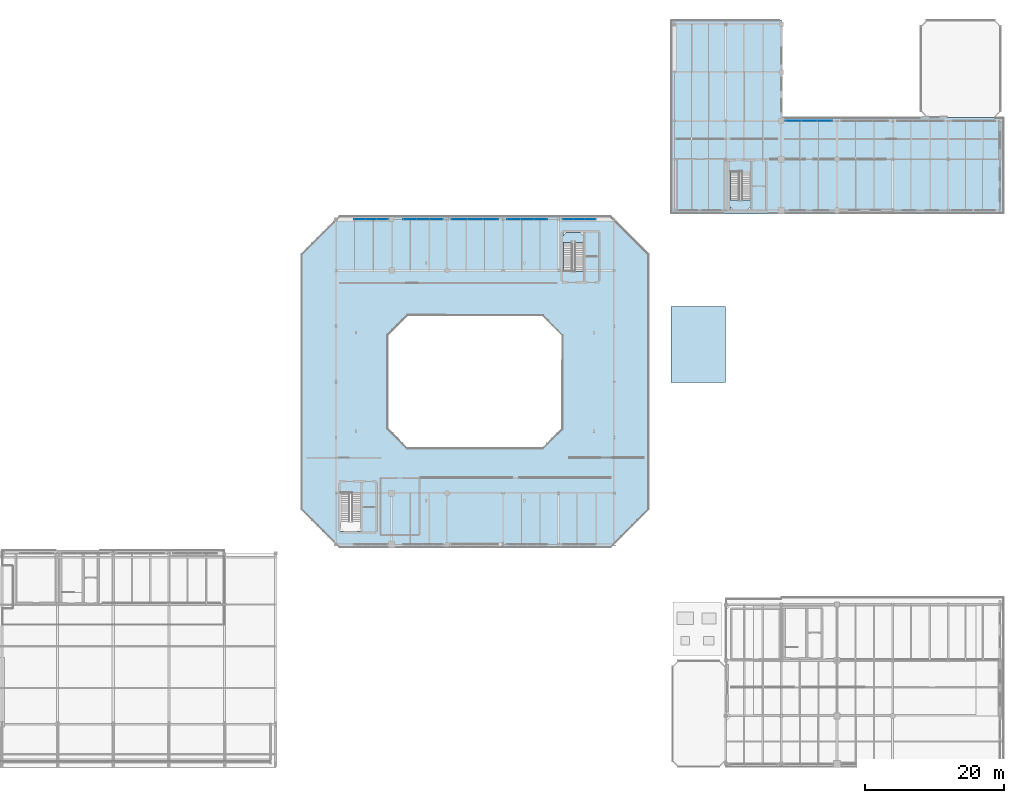
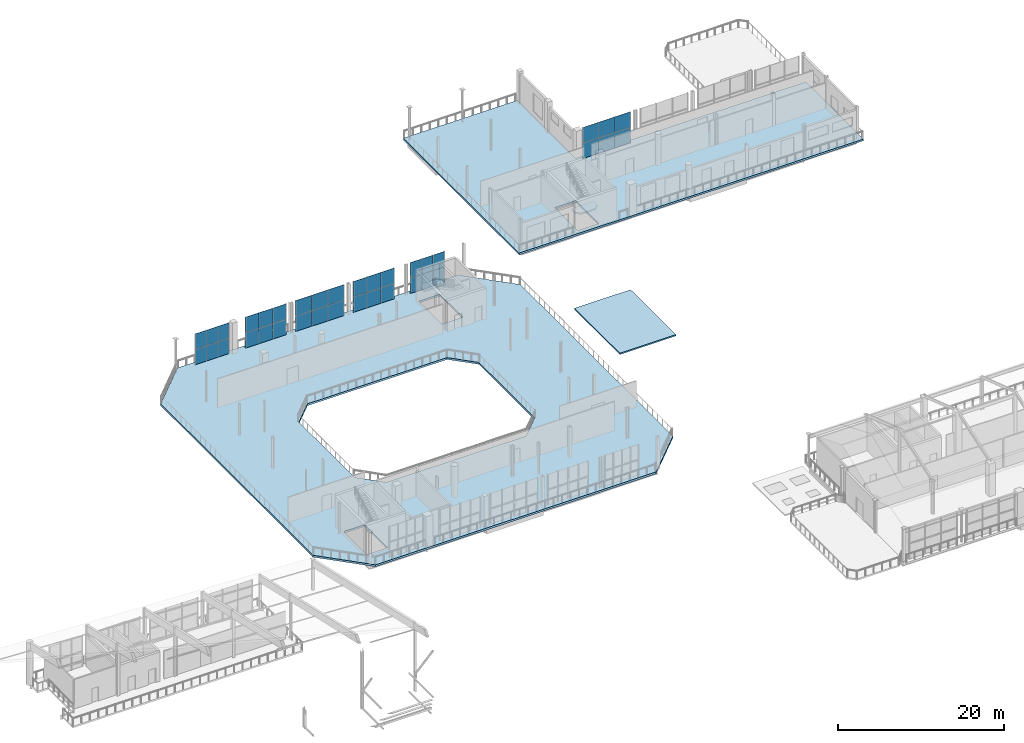
# One storey, part 30 of 51: 36 plates, 5 slabs, 8 elements without a shape of their own.
"""IFC4 building model written with IfcOpenShell, lengths in metres."""

import ifcopenshell
import ifcopenshell.guid

model = None  # the IFC model being written
_history = None  # IfcOwnerHistory: only IFC2X3 demands one
_inside = {}  # id of a spatial element -> (the spatial element, [elements in it])
_under = {}  # id of a project, library or spatial element -> (it, [spatial elements below it])
_declared = {}  # id of a project -> (the project, [libraries it declares])
_typed = {}  # id of a type object -> (the type object, [elements of that type])
_made_of = {}  # id of a material, layer set ... -> (it, [elements and type objects made of it])


def new_model(schema):
    """Start an empty IFC model of exactly this schema.

    Asked for "IFC4X3", IfcOpenShell would pick the latest addendum, in which some entities
    have other attributes; the version numbers below select the first issue.
    IFC2X3 requires an IfcOwnerHistory on every rooted entity: one is made here for all.
    """
    global model, _history
    if schema == "IFC4X3":
        model = ifcopenshell.file(schema_version=(4, 3, 0, 0))
    else:
        model = ifcopenshell.file(schema=schema)
    _inside.clear()
    _under.clear()
    _declared.clear()
    _typed.clear()
    _made_of.clear()
    _history = None
    if model.schema == "IFC2X3":
        org = make("IfcOrganization", Name="unknown")
        user = make(
            "IfcPersonAndOrganization",
            ThePerson=make("IfcPerson", FamilyName="unknown"),
            TheOrganization=org,
        )
        app = make(
            "IfcApplication",
            ApplicationDeveloper=org,
            Version="unknown",
            ApplicationFullName="unknown",
            ApplicationIdentifier="unknown",
        )
        _history = make(
            "IfcOwnerHistory",
            OwningUser=user,
            OwningApplication=app,
            ChangeAction="ADDED",
            CreationDate=0,
        )
    return model


def make(cls, **values):
    """One entity of the class cls with the attributes given. An attribute that is None is left unset."""
    return model.create_entity(
        cls, **{name: value for name, value in values.items() if value is not None}
    )


def rooted(cls, **values):
    """An entity with a GlobalId (a new one), such as an element, a storey or a relation."""
    return make(cls, GlobalId=ifcopenshell.guid.new(), OwnerHistory=_history, **values)


def si_unit(unit_type, name, prefix=None):
    """IfcSIUnit, for example si_unit("LENGTHUNIT", "METRE", prefix="MILLI")."""
    return make("IfcSIUnit", UnitType=unit_type, Prefix=prefix, Name=name)


def assignment(units):
    """IfcUnitAssignment: the units of a project."""
    return None if units is None else make("IfcUnitAssignment", Units=units)


def point(xyz):
    """IfcCartesianPoint."""
    return None if xyz is None else make("IfcCartesianPoint", Coordinates=xyz)


def direction(xyz):
    """IfcDirection."""
    return None if xyz is None else make("IfcDirection", DirectionRatios=xyz)


def frame(location, z_axis=None, x_axis=None):
    """IfcAxis2Placement3D, a coordinate frame: its origin and axes. An axis left out is left unset."""
    return make(
        "IfcAxis2Placement3D",
        Location=point(location),
        Axis=direction(z_axis),
        RefDirection=direction(x_axis),
    )


def frame_2d(location, x_axis=None):
    """IfcAxis2Placement2D, a coordinate frame in the plane: its origin and x axis."""
    return make(
        "IfcAxis2Placement2D", Location=point(location), RefDirection=direction(x_axis)
    )


def origin():
    """The frame at (0, 0, 0) with its axes left unset."""
    return frame((0.0, 0.0, 0.0))


def origin_2d():
    """The frame at (0, 0) in the plane with its x axis left unset."""
    return frame_2d((0.0, 0.0))


def place(relative_to, where):
    """IfcLocalPlacement: puts the frame where relative to a parent placement (None: the world)."""
    return make(
        "IfcLocalPlacement", PlacementRelTo=relative_to, RelativePlacement=where
    )


def context(
    kind, dimensions, precision=None, world=None, true_north=None, identifier=None
):
    """IfcGeometricRepresentationContext, for example the 3D "Model" context."""
    return make(
        "IfcGeometricRepresentationContext",
        ContextIdentifier=identifier,
        ContextType=kind,
        CoordinateSpaceDimension=dimensions,
        Precision=precision,
        WorldCoordinateSystem=world,
        TrueNorth=true_north,
    )


def subcontext(parent, identifier, kind, view, scale=None):
    """IfcGeometricRepresentationSubContext, for example "Body" below "Model"."""
    return make(
        "IfcGeometricRepresentationSubContext",
        ContextIdentifier=identifier,
        ContextType=kind,
        ParentContext=parent,
        TargetScale=scale,
        TargetView=view,
    )


def project(units=None, contexts=None):
    """IfcProject with its units and contexts."""
    return rooted(
        "IfcProject",
        Name="project",
        RepresentationContexts=contexts,
        UnitsInContext=assignment(units),
    )


def spatial(cls, under=None, at=None, **own):
    """A site, building, storey or space (cls), placed at a placement, below another one or the project."""
    s = rooted(cls, ObjectPlacement=at, **own)
    if under is not None:
        _under.setdefault(under.id(), (under, []))[1].append(s)
    return s


def polyline(points):
    """IfcPolyline through the points."""
    return make("IfcPolyline", Points=[point(p) for p in points])


def profile(cls, at=None, kind="AREA", **sizes):
    """A parametric profile (cls). Its sizes go by their IFC names, for example OverallWidth=200.0."""
    return make(cls, ProfileType=kind, Position=at, **sizes)


def rectangle(**sizes):
    """IfcRectangleProfileDef."""
    return profile("IfcRectangleProfileDef", **sizes)


def outline(outer, holes=None, kind="AREA"):
    """IfcArbitraryClosedProfileDef: a profile drawn as a closed curve; with holes, ...WithVoids."""
    if holes is None:
        return make("IfcArbitraryClosedProfileDef", ProfileType=kind, OuterCurve=outer)
    return make(
        "IfcArbitraryProfileDefWithVoids",
        ProfileType=kind,
        OuterCurve=outer,
        InnerCurves=holes,
    )


def extrude(swept, where, along, depth):
    """IfcExtrudedAreaSolid: the profile swept, set in the frame where, extruded along a direction by depth."""
    return make(
        "IfcExtrudedAreaSolid",
        SweptArea=swept,
        Position=where,
        ExtrudedDirection=direction(along),
        Depth=depth,
    )


def shape(context_of_items, identifier, shape_type, items):
    """IfcShapeRepresentation: the items that make up one representation, for example the "Body"."""
    return make(
        "IfcShapeRepresentation",
        ContextOfItems=context_of_items,
        RepresentationIdentifier=identifier,
        RepresentationType=shape_type,
        Items=items,
    )


def material(Name=None, Category=None):
    """IfcMaterial."""
    return make("IfcMaterial", Name=Name, Category=Category)


def layer(
    of_material, thickness, ventilated=None, Name=None, Category=None, Priority=None
):
    """IfcMaterialLayer: one layer of a wall or slab, of a material (None: an air gap)."""
    return make(
        "IfcMaterialLayer",
        Material=of_material,
        LayerThickness=thickness,
        IsVentilated=ventilated,
        Name=Name,
        Category=Category,
        Priority=Priority,
    )


def layer_set(layers, Name=None):
    """IfcMaterialLayerSet."""
    return make("IfcMaterialLayerSet", MaterialLayers=layers, LayerSetName=Name)


def made_of(thing, what):
    """Note that an element or type object is made of a material, layer set ...; save() writes the relation."""
    if what is not None:
        _made_of.setdefault(what.id(), (what, []))[1].append(thing)
    return thing


def type_object(cls, material=None, **own):
    """A type object (cls), such as IfcWallType, which elements share."""
    return made_of(rooted(cls, **own), material)


def element(
    cls,
    number,
    at=None,
    inside=None,
    cuts=None,
    type_object=None,
    material=None,
    context=None,
    identifier="Body",
    shape_type=None,
    held_by="IfcProductDefinitionShape",
    body=None,
    shapes=None,
    **own,
):
    """One element of the class cls, such as IfcWall. Its Tag is "e" and its number.

    at: its placement. inside: the storey or other place that contains it. cuts: it is an
    opening in that element (IfcRelVoidsElement). A single representation is given by context,
    identifier, shape_type and body (its items); several are given by shapes. held_by: the class
    of the entity that holds the representations. save() writes the other relations.
    """
    e = rooted(cls, Tag="e%d" % number, ObjectPlacement=at, **own)
    if body is not None:
        shapes = [shape(context, identifier, shape_type, body)]
    if shapes is not None:
        e.Representation = make(held_by, Representations=shapes)
    if inside is not None:
        _inside.setdefault(inside.id(), (inside, []))[1].append(e)
    if cuts is not None:
        rooted(
            "IfcRelVoidsElement", RelatingBuildingElement=cuts, RelatedOpeningElement=e
        )
    if type_object is not None:
        _typed.setdefault(type_object.id(), (type_object, []))[1].append(e)
    return made_of(e, material)


def aggregate(whole, parts):
    """IfcRelAggregates: a whole, such as a stair, and the parts it consists of."""
    return rooted("IfcRelAggregates", RelatingObject=whole, RelatedObjects=parts)


def save(model, path):
    """Write the relations noted so far, then the file.

    IfcRelAggregates (storeys below a building ...), IfcRelContainedInSpatialStructure (elements
    in a storey), IfcRelDefinesByType, IfcRelAssociatesMaterial and IfcRelDeclares: one each for
    every whole, place, type object, material and project.
    """
    for whole, parts in _under.values():
        aggregate(whole, parts)
    for where, things in _inside.values():
        rooted(
            "IfcRelContainedInSpatialStructure",
            RelatedElements=things,
            RelatingStructure=where,
        )
    for kind, things in _typed.values():
        rooted("IfcRelDefinesByType", RelatedObjects=things, RelatingType=kind)
    for what, things in _made_of.values():
        rooted("IfcRelAssociatesMaterial", RelatedObjects=things, RelatingMaterial=what)
    for by, libraries in _declared.values():
        rooted("IfcRelDeclares", RelatingContext=by, RelatedDefinitions=libraries)
    model.write(path)


model = new_model("IFC4")

# Units and contexts
model_context = context("Model", 3, precision=1e-05, world=origin(), true_north=direction((0.0, 1.0)))
body_context = subcontext(model_context, "Body", "Model", "MODEL_VIEW")
ifc_project = project(units=[si_unit("LENGTHUNIT", "METRE"), si_unit("AREAUNIT", "SQUARE_METRE"), si_unit("VOLUMEUNIT", "CUBIC_METRE"), si_unit("PLANEANGLEUNIT", "RADIAN"), si_unit("MASSUNIT", "GRAM", prefix="KILO")], contexts=[model_context])

# Site, building, storey
site_placement = place(None, origin())
site = spatial("IfcSite", under=ifc_project, at=site_placement, CompositionType="ELEMENT")
building_placement = place(site_placement, origin())
building = spatial("IfcBuilding", under=site, at=building_placement, Name="Brisemont Oceanarium", CompositionType="ELEMENT")
storey_placement = place(building_placement, frame((0.0, 0.0, 15.0)))
storey = spatial("IfcBuildingStorey", under=building, at=storey_placement, Name="L03", CompositionType="ELEMENT", Elevation=15.0)

# Curtain wall, plates
ifc_material_1 = material(Name="Anodized Extruded Aluminum 6063-T6", Category="aluminium")
curtain_wall_type_1 = type_object("IfcCurtainWallType", Name="CW-CLR-58X36", PredefinedType="NOTDEFINED", material=ifc_material_1)
curtain_wall_1_placement = place(storey_placement, origin())
curtain_wall_1 = element("IfcCurtainWall", 1, at=curtain_wall_1_placement, inside=storey, type_object=curtain_wall_type_1, Name="CW-21 curtain wall CW-V1-N-L03-01", PredefinedType="NOTDEFINED")
ifc_material_2 = material(Name="Ceramic-Fritted Spandrel Glass", Category="glass")
ifc_layer_1 = layer(ifc_material_2, 0.030029296875)
ifc_layer_set_1 = layer_set([ifc_layer_1], Name="Ceramic-Fritted Spandrel Glass")
plate_type_1 = type_object("IfcPlateType", Name="PLT-CWP-S3", PredefinedType="CURTAIN_PANEL", material=ifc_layer_set_1)
plate_1_placement = place(storey_placement, frame((67.445068359375, 79.35009765625, 0.00146484375), z_axis=(0.0, 0.0, 1.0), x_axis=(1.0, 0.0, 0.0)))
plate_1 = element("IfcPlate", 2, at=plate_1_placement, type_object=plate_type_1, Name="CW-V1-N-L03-01 panel 1.1", PredefinedType="CURTAIN_PANEL", context=body_context, shape_type="SweptSolid", body=[
    extrude(rectangle(XDim=1.5869140625, YDim=0.030029296875, at=origin_2d()), origin(), (0.0, 0.0, 1.0), 2.26708984375),
])
plate_2_placement = place(storey_placement, frame((67.445068359375, 79.35009765625, 2.271484375), z_axis=(0.0, 0.0, 1.0), x_axis=(1.0, 0.0, 0.0)))
plate_2 = element("IfcPlate", 3, at=plate_2_placement, type_object=plate_type_1, Name="CW-V1-N-L03-01 panel 1.2", PredefinedType="CURTAIN_PANEL", context=body_context, shape_type="SweptSolid", body=[
    extrude(rectangle(XDim=1.5869140625, YDim=0.030029296875, at=origin_2d()), origin(), (0.0, 0.0, 1.0), 2.26708984375),
])
plate_3_placement = place(storey_placement, frame((69.034912109375, 79.35009765625, 0.00146484375), z_axis=(0.0, 0.0, 1.0), x_axis=(1.0, 0.0, 0.0)))
plate_3 = element("IfcPlate", 4, at=plate_3_placement, type_object=plate_type_1, Name="CW-V1-N-L03-01 panel 2.1", PredefinedType="CURTAIN_PANEL", context=body_context, shape_type="SweptSolid", body=[
    extrude(rectangle(XDim=1.5869140625, YDim=0.030029296875, at=origin_2d()), origin(), (0.0, 0.0, 1.0), 2.26708984375),
])
plate_4_placement = place(storey_placement, frame((69.034912109375, 79.35009765625, 2.271484375), z_axis=(0.0, 0.0, 1.0), x_axis=(1.0, 0.0, 0.0)))
plate_4 = element("IfcPlate", 5, at=plate_4_placement, type_object=plate_type_1, Name="CW-V1-N-L03-01 panel 2.2", PredefinedType="CURTAIN_PANEL", context=body_context, shape_type="SweptSolid", body=[
    extrude(rectangle(XDim=1.5869140625, YDim=0.030029296875, at=origin_2d()), origin(), (0.0, 0.0, 1.0), 2.26708984375),
])
plate_5_placement = place(storey_placement, frame((70.625, 79.35009765625, 0.00146484375), z_axis=(0.0, 0.0, 1.0), x_axis=(1.0, 0.0, 0.0)))
plate_5 = element("IfcPlate", 6, at=plate_5_placement, type_object=plate_type_1, Name="CW-V1-N-L03-01 panel 3.1", PredefinedType="CURTAIN_PANEL", context=body_context, shape_type="SweptSolid", body=[
    extrude(rectangle(XDim=1.5869140625, YDim=0.030029296875, at=origin_2d()), origin(), (0.0, 0.0, 1.0), 2.26708984375),
])
plate_6_placement = place(storey_placement, frame((70.625, 79.35009765625, 2.271484375), z_axis=(0.0, 0.0, 1.0), x_axis=(1.0, 0.0, 0.0)))
plate_6 = element("IfcPlate", 7, at=plate_6_placement, type_object=plate_type_1, Name="CW-V1-N-L03-01 panel 3.2", PredefinedType="CURTAIN_PANEL", context=body_context, shape_type="SweptSolid", body=[
    extrude(rectangle(XDim=1.5869140625, YDim=0.030029296875, at=origin_2d()), origin(), (0.0, 0.0, 1.0), 2.26708984375),
])
aggregate(curtain_wall_1, [plate_1, plate_2, plate_3, plate_4, plate_5, plate_6])

curtain_wall_2_placement = place(storey_placement, origin())
curtain_wall_2 = element("IfcCurtainWall", 8, at=curtain_wall_2_placement, inside=storey, type_object=curtain_wall_type_1, Name="CW-21 curtain wall CW-V1-N-L03-02", PredefinedType="NOTDEFINED")
plate_7_placement = place(storey_placement, frame((74.60009765625, 79.35009765625, 0.00146484375), z_axis=(0.0, 0.0, 1.0), x_axis=(1.0, 0.0, 0.0)))
plate_7 = element("IfcPlate", 9, at=plate_7_placement, type_object=plate_type_1, Name="CW-V1-N-L03-02 panel 1.1", PredefinedType="CURTAIN_PANEL", context=body_context, shape_type="SweptSolid", body=[
    extrude(rectangle(XDim=1.89697265625, YDim=0.030029296875, at=origin_2d()), origin(), (0.0, 0.0, 1.0), 2.26708984375),
])
plate_8_placement = place(storey_placement, frame((74.60009765625, 79.35009765625, 2.271484375), z_axis=(0.0, 0.0, 1.0), x_axis=(1.0, 0.0, 0.0)))
plate_8 = element("IfcPlate", 10, at=plate_8_placement, type_object=plate_type_1, Name="CW-V1-N-L03-02 panel 1.2", PredefinedType="CURTAIN_PANEL", context=body_context, shape_type="SweptSolid", body=[
    extrude(rectangle(XDim=1.89697265625, YDim=0.030029296875, at=origin_2d()), origin(), (0.0, 0.0, 1.0), 2.26708984375),
])
plate_9_placement = place(storey_placement, frame((76.5, 79.35009765625, 0.00146484375), z_axis=(0.0, 0.0, 1.0), x_axis=(1.0, 0.0, 0.0)))
plate_9 = element("IfcPlate", 11, at=plate_9_placement, type_object=plate_type_1, Name="CW-V1-N-L03-02 panel 2.1", PredefinedType="CURTAIN_PANEL", context=body_context, shape_type="SweptSolid", body=[
    extrude(rectangle(XDim=1.89697265625, YDim=0.030029296875, at=origin_2d()), origin(), (0.0, 0.0, 1.0), 2.26708984375),
])
plate_10_placement = place(storey_placement, frame((76.5, 79.35009765625, 2.271484375), z_axis=(0.0, 0.0, 1.0), x_axis=(1.0, 0.0, 0.0)))
plate_10 = element("IfcPlate", 12, at=plate_10_placement, type_object=plate_type_1, Name="CW-V1-N-L03-02 panel 2.2", PredefinedType="CURTAIN_PANEL", context=body_context, shape_type="SweptSolid", body=[
    extrude(rectangle(XDim=1.89697265625, YDim=0.030029296875, at=origin_2d()), origin(), (0.0, 0.0, 1.0), 2.26708984375),
])
plate_11_placement = place(storey_placement, frame((78.39990234375, 79.35009765625, 0.00146484375), z_axis=(0.0, 0.0, 1.0), x_axis=(1.0, 0.0, 0.0)))
plate_11 = element("IfcPlate", 13, at=plate_11_placement, type_object=plate_type_1, Name="CW-V1-N-L03-02 panel 3.1", PredefinedType="CURTAIN_PANEL", context=body_context, shape_type="SweptSolid", body=[
    extrude(rectangle(XDim=1.89697265625, YDim=0.030029296875, at=origin_2d()), origin(), (0.0, 0.0, 1.0), 2.26708984375),
])
plate_12_placement = place(storey_placement, frame((78.39990234375, 79.35009765625, 2.271484375), z_axis=(0.0, 0.0, 1.0), x_axis=(1.0, 0.0, 0.0)))
plate_12 = element("IfcPlate", 14, at=plate_12_placement, type_object=plate_type_1, Name="CW-V1-N-L03-02 panel 3.2", PredefinedType="CURTAIN_PANEL", context=body_context, shape_type="SweptSolid", body=[
    extrude(rectangle(XDim=1.89697265625, YDim=0.030029296875, at=origin_2d()), origin(), (0.0, 0.0, 1.0), 2.26708984375),
])
aggregate(curtain_wall_2, [plate_7, plate_8, plate_9, plate_10, plate_11, plate_12])

curtain_wall_3_placement = place(storey_placement, origin())
curtain_wall_3 = element("IfcCurtainWall", 15, at=curtain_wall_3_placement, inside=storey, type_object=curtain_wall_type_1, Name="CW-21 curtain wall CW-V1-N-L03-03", PredefinedType="NOTDEFINED")
plate_13_placement = place(storey_placement, frame((81.7666015625, 79.35009765625, 0.00146484375), z_axis=(0.0, 0.0, 1.0), x_axis=(1.0, 0.0, 0.0)))
plate_13 = element("IfcPlate", 16, at=plate_13_placement, type_object=plate_type_1, Name="CW-V1-N-L03-03 panel 1.1", PredefinedType="CURTAIN_PANEL", context=body_context, shape_type="SweptSolid", body=[
    extrude(rectangle(XDim=2.230224609375, YDim=0.030029296875, at=origin_2d()), origin(), (0.0, 0.0, 1.0), 2.26708984375),
])
plate_14_placement = place(storey_placement, frame((81.7666015625, 79.35009765625, 2.271484375), z_axis=(0.0, 0.0, 1.0), x_axis=(1.0, 0.0, 0.0)))
plate_14 = element("IfcPlate", 17, at=plate_14_placement, type_object=plate_type_1, Name="CW-V1-N-L03-03 panel 1.2", PredefinedType="CURTAIN_PANEL", context=body_context, shape_type="SweptSolid", body=[
    extrude(rectangle(XDim=2.230224609375, YDim=0.030029296875, at=origin_2d()), origin(), (0.0, 0.0, 1.0), 2.26708984375),
])
plate_15_placement = place(storey_placement, frame((84.0, 79.35009765625, 0.00146484375), z_axis=(0.0, 0.0, 1.0), x_axis=(1.0, 0.0, 0.0)))
plate_15 = element("IfcPlate", 18, at=plate_15_placement, type_object=plate_type_1, Name="CW-V1-N-L03-03 panel 2.1", PredefinedType="CURTAIN_PANEL", context=body_context, shape_type="SweptSolid", body=[
    extrude(rectangle(XDim=2.230224609375, YDim=0.030029296875, at=origin_2d()), origin(), (0.0, 0.0, 1.0), 2.26708984375),
])
plate_16_placement = place(storey_placement, frame((84.0, 79.35009765625, 2.271484375), z_axis=(0.0, 0.0, 1.0), x_axis=(1.0, 0.0, 0.0)))
plate_16 = element("IfcPlate", 19, at=plate_16_placement, type_object=plate_type_1, Name="CW-V1-N-L03-03 panel 2.2", PredefinedType="CURTAIN_PANEL", context=body_context, shape_type="SweptSolid", body=[
    extrude(rectangle(XDim=2.230224609375, YDim=0.030029296875, at=origin_2d()), origin(), (0.0, 0.0, 1.0), 2.26708984375),
])
plate_17_placement = place(storey_placement, frame((86.2333984375, 79.35009765625, 0.00146484375), z_axis=(0.0, 0.0, 1.0), x_axis=(1.0, 0.0, 0.0)))
plate_17 = element("IfcPlate", 20, at=plate_17_placement, type_object=plate_type_1, Name="CW-V1-N-L03-03 panel 3.1", PredefinedType="CURTAIN_PANEL", context=body_context, shape_type="SweptSolid", body=[
    extrude(rectangle(XDim=2.230224609375, YDim=0.030029296875, at=origin_2d()), origin(), (0.0, 0.0, 1.0), 2.26708984375),
])
plate_18_placement = place(storey_placement, frame((86.2333984375, 79.35009765625, 2.271484375), z_axis=(0.0, 0.0, 1.0), x_axis=(1.0, 0.0, 0.0)))
plate_18 = element("IfcPlate", 21, at=plate_18_placement, type_object=plate_type_1, Name="CW-V1-N-L03-03 panel 3.2", PredefinedType="CURTAIN_PANEL", context=body_context, shape_type="SweptSolid", body=[
    extrude(rectangle(XDim=2.230224609375, YDim=0.030029296875, at=origin_2d()), origin(), (0.0, 0.0, 1.0), 2.26708984375),
])
aggregate(curtain_wall_3, [plate_13, plate_14, plate_15, plate_16, plate_17, plate_18])

curtain_wall_4_placement = place(storey_placement, origin())
curtain_wall_4 = element("IfcCurtainWall", 22, at=curtain_wall_4_placement, inside=storey, type_object=curtain_wall_type_1, Name="CW-21 curtain wall CW-V1-N-L03-04", PredefinedType="NOTDEFINED")
plate_19_placement = place(storey_placement, frame((89.60009765625, 79.35009765625, 0.00146484375), z_axis=(0.0, 0.0, 1.0), x_axis=(1.0, 0.0, 0.0)))
plate_19 = element("IfcPlate", 23, at=plate_19_placement, type_object=plate_type_1, Name="CW-V1-N-L03-04 panel 1.1", PredefinedType="CURTAIN_PANEL", context=body_context, shape_type="SweptSolid", body=[
    extrude(rectangle(XDim=1.89697265625, YDim=0.030029296875, at=origin_2d()), origin(), (0.0, 0.0, 1.0), 2.26708984375),
])
plate_20_placement = place(storey_placement, frame((89.60009765625, 79.35009765625, 2.271484375), z_axis=(0.0, 0.0, 1.0), x_axis=(1.0, 0.0, 0.0)))
plate_20 = element("IfcPlate", 24, at=plate_20_placement, type_object=plate_type_1, Name="CW-V1-N-L03-04 panel 1.2", PredefinedType="CURTAIN_PANEL", context=body_context, shape_type="SweptSolid", body=[
    extrude(rectangle(XDim=1.89697265625, YDim=0.030029296875, at=origin_2d()), origin(), (0.0, 0.0, 1.0), 2.26708984375),
])
plate_21_placement = place(storey_placement, frame((91.5, 79.35009765625, 0.00146484375), z_axis=(0.0, 0.0, 1.0), x_axis=(1.0, 0.0, 0.0)))
plate_21 = element("IfcPlate", 25, at=plate_21_placement, type_object=plate_type_1, Name="CW-V1-N-L03-04 panel 2.1", PredefinedType="CURTAIN_PANEL", context=body_context, shape_type="SweptSolid", body=[
    extrude(rectangle(XDim=1.89697265625, YDim=0.030029296875, at=origin_2d()), origin(), (0.0, 0.0, 1.0), 2.26708984375),
])
plate_22_placement = place(storey_placement, frame((91.5, 79.35009765625, 2.271484375), z_axis=(0.0, 0.0, 1.0), x_axis=(1.0, 0.0, 0.0)))
plate_22 = element("IfcPlate", 26, at=plate_22_placement, type_object=plate_type_1, Name="CW-V1-N-L03-04 panel 2.2", PredefinedType="CURTAIN_PANEL", context=body_context, shape_type="SweptSolid", body=[
    extrude(rectangle(XDim=1.89697265625, YDim=0.030029296875, at=origin_2d()), origin(), (0.0, 0.0, 1.0), 2.26708984375),
])
plate_23_placement = place(storey_placement, frame((93.39990234375, 79.35009765625, 0.00146484375), z_axis=(0.0, 0.0, 1.0), x_axis=(1.0, 0.0, 0.0)))
plate_23 = element("IfcPlate", 27, at=plate_23_placement, type_object=plate_type_1, Name="CW-V1-N-L03-04 panel 3.1", PredefinedType="CURTAIN_PANEL", context=body_context, shape_type="SweptSolid", body=[
    extrude(rectangle(XDim=1.89697265625, YDim=0.030029296875, at=origin_2d()), origin(), (0.0, 0.0, 1.0), 2.26708984375),
])
plate_24_placement = place(storey_placement, frame((93.39990234375, 79.35009765625, 2.271484375), z_axis=(0.0, 0.0, 1.0), x_axis=(1.0, 0.0, 0.0)))
plate_24 = element("IfcPlate", 28, at=plate_24_placement, type_object=plate_type_1, Name="CW-V1-N-L03-04 panel 3.2", PredefinedType="CURTAIN_PANEL", context=body_context, shape_type="SweptSolid", body=[
    extrude(rectangle(XDim=1.89697265625, YDim=0.030029296875, at=origin_2d()), origin(), (0.0, 0.0, 1.0), 2.26708984375),
])
aggregate(curtain_wall_4, [plate_19, plate_20, plate_21, plate_22, plate_23, plate_24])

curtain_wall_5_placement = place(storey_placement, origin())
curtain_wall_5 = element("IfcCurtainWall", 29, at=curtain_wall_5_placement, inside=storey, type_object=curtain_wall_type_1, Name="CW-21 curtain wall CW-V1-N-L03-05", PredefinedType="NOTDEFINED")
plate_25_placement = place(storey_placement, frame((97.375, 79.35009765625, 0.00146484375), z_axis=(0.0, 0.0, 1.0), x_axis=(1.0, 0.0, 0.0)))
plate_25 = element("IfcPlate", 30, at=plate_25_placement, type_object=plate_type_1, Name="CW-V1-N-L03-05 panel 1.1", PredefinedType="CURTAIN_PANEL", context=body_context, shape_type="SweptSolid", body=[
    extrude(rectangle(XDim=1.5869140625, YDim=0.030029296875, at=origin_2d()), origin(), (0.0, 0.0, 1.0), 2.26708984375),
])
plate_26_placement = place(storey_placement, frame((97.375, 79.35009765625, 2.271484375), z_axis=(0.0, 0.0, 1.0), x_axis=(1.0, 0.0, 0.0)))
plate_26 = element("IfcPlate", 31, at=plate_26_placement, type_object=plate_type_1, Name="CW-V1-N-L03-05 panel 1.2", PredefinedType="CURTAIN_PANEL", context=body_context, shape_type="SweptSolid", body=[
    extrude(rectangle(XDim=1.5869140625, YDim=0.030029296875, at=origin_2d()), origin(), (0.0, 0.0, 1.0), 2.26708984375),
])
plate_27_placement = place(storey_placement, frame((98.965087890625, 79.35009765625, 0.00146484375), z_axis=(0.0, 0.0, 1.0), x_axis=(1.0, 0.0, 0.0)))
plate_27 = element("IfcPlate", 32, at=plate_27_placement, type_object=plate_type_1, Name="CW-V1-N-L03-05 panel 2.1", PredefinedType="CURTAIN_PANEL", context=body_context, shape_type="SweptSolid", body=[
    extrude(rectangle(XDim=1.5869140625, YDim=0.030029296875, at=origin_2d()), origin(), (0.0, 0.0, 1.0), 2.26708984375),
])
plate_28_placement = place(storey_placement, frame((98.965087890625, 79.35009765625, 2.271484375), z_axis=(0.0, 0.0, 1.0), x_axis=(1.0, 0.0, 0.0)))
plate_28 = element("IfcPlate", 33, at=plate_28_placement, type_object=plate_type_1, Name="CW-V1-N-L03-05 panel 2.2", PredefinedType="CURTAIN_PANEL", context=body_context, shape_type="SweptSolid", body=[
    extrude(rectangle(XDim=1.5869140625, YDim=0.030029296875, at=origin_2d()), origin(), (0.0, 0.0, 1.0), 2.26708984375),
])
plate_29_placement = place(storey_placement, frame((100.554931640625, 79.35009765625, 0.00146484375), z_axis=(0.0, 0.0, 1.0), x_axis=(1.0, 0.0, 0.0)))
plate_29 = element("IfcPlate", 34, at=plate_29_placement, type_object=plate_type_1, Name="CW-V1-N-L03-05 panel 3.1", PredefinedType="CURTAIN_PANEL", context=body_context, shape_type="SweptSolid", body=[
    extrude(rectangle(XDim=1.5869140625, YDim=0.030029296875, at=origin_2d()), origin(), (0.0, 0.0, 1.0), 2.26708984375),
])
plate_30_placement = place(storey_placement, frame((100.554931640625, 79.35009765625, 2.271484375), z_axis=(0.0, 0.0, 1.0), x_axis=(1.0, 0.0, 0.0)))
plate_30 = element("IfcPlate", 35, at=plate_30_placement, type_object=plate_type_1, Name="CW-V1-N-L03-05 panel 3.2", PredefinedType="CURTAIN_PANEL", context=body_context, shape_type="SweptSolid", body=[
    extrude(rectangle(XDim=1.5869140625, YDim=0.030029296875, at=origin_2d()), origin(), (0.0, 0.0, 1.0), 2.26708984375),
])
aggregate(curtain_wall_5, [plate_25, plate_26, plate_27, plate_28, plate_29, plate_30])

ifc_material_3 = material(Name="Anodized Extruded Aluminum 6063-T6", Category="aluminium")
curtain_wall_type_2 = type_object("IfcCurtainWallType", Name="CW-RES-61X43", PredefinedType="NOTDEFINED", material=ifc_material_3)
curtain_wall_6_placement = place(storey_placement, origin())
curtain_wall_6 = element("IfcCurtainWall", 36, at=curtain_wall_6_placement, inside=storey, type_object=curtain_wall_type_2, Name="CW-17 curtain wall CW-V6-N-L03-01", PredefinedType="NOTDEFINED")
ifc_material_4 = material(Name="Insulated Low-E Laminated Glass", Category="glass")
ifc_layer_2 = layer(ifc_material_4, 0.02587890625)
ifc_layer_set_2 = layer_set([ifc_layer_2], Name="Insulated Low-E Laminated Glass")
plate_type_2 = type_object("IfcPlateType", Name="PLT-CWP-V9", PredefinedType="CURTAIN_PANEL", material=ifc_layer_set_2)
plate_31_placement = place(storey_placement, frame((129.7666015625, 93.5, 0.00146484375), z_axis=(0.0, 0.0, 1.0), x_axis=(1.0, 0.0, 0.0)))
plate_31 = element("IfcPlate", 37, at=plate_31_placement, type_object=plate_type_2, Name="CW-V6-N-L03-01 panel 1.1", PredefinedType="CURTAIN_PANEL", context=body_context, shape_type="SweptSolid", body=[
    extrude(rectangle(XDim=2.230224609375, YDim=0.02587890625, at=origin_2d()), origin(), (0.0, 0.0, 1.0), 2.277099609375),
])
plate_32_placement = place(storey_placement, frame((129.7666015625, 93.5, 2.28125), z_axis=(0.0, 0.0, 1.0), x_axis=(1.0, 0.0, 0.0)))
plate_32 = element("IfcPlate", 38, at=plate_32_placement, type_object=plate_type_2, Name="CW-V6-N-L03-01 panel 1.2", PredefinedType="CURTAIN_PANEL", context=body_context, shape_type="SweptSolid", body=[
    extrude(rectangle(XDim=2.230224609375, YDim=0.02587890625, at=origin_2d()), origin(), (0.0, 0.0, 1.0), 2.277099609375),
])
plate_33_placement = place(storey_placement, frame((132.0, 93.5, 0.00146484375), z_axis=(0.0, 0.0, 1.0), x_axis=(1.0, 0.0, 0.0)))
plate_33 = element("IfcPlate", 39, at=plate_33_placement, type_object=plate_type_2, Name="CW-V6-N-L03-01 panel 2.1", PredefinedType="CURTAIN_PANEL", context=body_context, shape_type="SweptSolid", body=[
    extrude(rectangle(XDim=2.230224609375, YDim=0.02587890625, at=origin_2d()), origin(), (0.0, 0.0, 1.0), 2.277099609375),
])
plate_34_placement = place(storey_placement, frame((132.0, 93.5, 2.28125), z_axis=(0.0, 0.0, 1.0), x_axis=(1.0, 0.0, 0.0)))
plate_34 = element("IfcPlate", 40, at=plate_34_placement, type_object=plate_type_2, Name="CW-V6-N-L03-01 panel 2.2", PredefinedType="CURTAIN_PANEL", context=body_context, shape_type="SweptSolid", body=[
    extrude(rectangle(XDim=2.230224609375, YDim=0.02587890625, at=origin_2d()), origin(), (0.0, 0.0, 1.0), 2.277099609375),
])
plate_35_placement = place(storey_placement, frame((134.2333984375, 93.5, 0.00146484375), z_axis=(0.0, 0.0, 1.0), x_axis=(1.0, 0.0, 0.0)))
plate_35 = element("IfcPlate", 41, at=plate_35_placement, type_object=plate_type_2, Name="CW-V6-N-L03-01 panel 3.1", PredefinedType="CURTAIN_PANEL", context=body_context, shape_type="SweptSolid", body=[
    extrude(rectangle(XDim=2.230224609375, YDim=0.02587890625, at=origin_2d()), origin(), (0.0, 0.0, 1.0), 2.277099609375),
])
plate_36_placement = place(storey_placement, frame((134.2333984375, 93.5, 2.28125), z_axis=(0.0, 0.0, 1.0), x_axis=(1.0, 0.0, 0.0)))
plate_36 = element("IfcPlate", 42, at=plate_36_placement, type_object=plate_type_2, Name="CW-V6-N-L03-01 panel 3.2", PredefinedType="CURTAIN_PANEL", context=body_context, shape_type="SweptSolid", body=[
    extrude(rectangle(XDim=2.230224609375, YDim=0.02587890625, at=origin_2d()), origin(), (0.0, 0.0, 1.0), 2.277099609375),
])
aggregate(curtain_wall_6, [plate_31, plate_32, plate_33, plate_34, plate_35, plate_36])

# Slabs
ifc_material_5 = material(Name="Concrete C35/45", Category="concrete")
ifc_layer_3 = layer(ifc_material_5, 0.260009765625)
ifc_layer_set_3 = layer_set([ifc_layer_3], Name="Concrete C35/45")
slab_type_1 = type_object("IfcSlabType", Name="SLB-FLR-260", PredefinedType="FLOOR", material=ifc_layer_set_3)
slab_1_placement = place(storey_placement, frame((0.0, 0.0, -0.260009765625)))
element("IfcSlab", 43, at=slab_1_placement, inside=storey, type_object=slab_type_1, Name="V6 L03 floor slab", PredefinedType="FLOOR", context=body_context, shape_type="SweptSolid", body=[
    extrude(outline(polyline([(112.14990234375, 80.14990234375), (160.0, 80.14990234375), (160.0, 94.0), (128.0, 94.0), (128.0, 108.0), (112.14990234375, 108.0), (112.14990234375, 80.14990234375)]), holes=[polyline([(120.669921875, 80.719970703125), (123.570068359375, 80.719970703125), (123.570068359375, 86.260009765625), (120.669921875, 86.260009765625), (120.669921875, 80.719970703125)])]), origin(), (0.0, 0.0, 1.0), 0.260009765625),
])
ifc_material_6 = material(Name="Concrete C35/45", Category="concrete")
ifc_layer_4 = layer(ifc_material_6, 0.280029296875)
ifc_layer_set_4 = layer_set([ifc_layer_4], Name="Concrete C35/45")
slab_type_2 = type_object("IfcSlabType", Name="SLB-FLR-280", PredefinedType="FLOOR", material=ifc_layer_set_4)
slab_2_placement = place(storey_placement, frame((0.0, 0.0, -0.280029296875)))
element("IfcSlab", 44, at=slab_2_placement, inside=storey, type_object=slab_type_2, Name="V1 L03 floor slab", PredefinedType="FLOOR", context=body_context, shape_type="SweptSolid", body=[
    extrude(outline(polyline([(64.5, 32.14990234375), (103.5, 32.14990234375), (109.0, 37.64990234375), (109.0, 74.35009765625), (103.5, 79.85009765625), (64.5, 79.85009765625), (59.0, 74.35009765625), (59.0, 37.64990234375), (64.5, 32.14990234375)]), holes=[polyline([(74.300048828125, 46.5), (93.699951171875, 46.5), (96.5, 49.300048828125), (96.5, 62.699951171875), (93.699951171875, 65.5), (74.300048828125, 65.5), (71.5, 62.699951171875), (71.5, 49.300048828125), (74.300048828125, 46.5)]), polyline([(64.669921875, 34.570068359375), (67.570068359375, 34.570068359375), (67.570068359375, 40.110107421875), (64.669921875, 40.110107421875), (64.669921875, 34.570068359375)]), polyline([(96.669921875, 71.889892578125), (99.570068359375, 71.889892578125), (99.570068359375, 77.429931640625), (96.669921875, 77.429931640625), (96.669921875, 71.889892578125)])]), origin(), (0.0, 0.0, 1.0), 0.280029296875),
])

# Stair, slab
ifc_material_7 = material(Name="Concrete C40/50", Category="concrete")
stair_type = type_object("IfcStairType", Name="STR-CORE-124-48", PredefinedType="HALF_TURN_STAIR", material=ifc_material_7)
stair_1_placement = place(storey_placement, origin())
stair_1 = element("IfcStair", 45, at=stair_1_placement, inside=storey, type_object=stair_type, Name="Exit stair ST-02 L03 to L04", PredefinedType="HALF_TURN_STAIR")
ifc_material_8 = material(Name="Concrete C40/50", Category="concrete")
ifc_layer_5 = layer(ifc_material_8, 0.219970703125)
ifc_layer_set_5 = layer_set([ifc_layer_5], Name="Concrete C40/50")
slab_type_3 = type_object("IfcSlabType", Name="SLB-LANDING-220", PredefinedType="LANDING", material=ifc_layer_set_5)
slab_3_placement = place(storey_placement, frame((0.0, 0.0, 2.179931640625)))
slab_3 = element("IfcSlab", 46, at=slab_3_placement, type_object=slab_type_3, Name="ST-02 L03 half-landing", PredefinedType="LANDING", context=body_context, shape_type="SweptSolid", body=[
    extrude(outline(polyline([(96.570068359375, 76.0400390625), (99.64990234375, 76.0400390625), (99.64990234375, 76.919921875), (99.10009765625, 77.469970703125), (97.1201171875, 77.469970703125), (96.570068359375, 76.919921875), (96.570068359375, 76.0400390625)])), origin(), (0.0, 0.0, 1.0), 0.219970703125),
])
aggregate(stair_1, [slab_3])

stair_2_placement = place(storey_placement, origin())
stair_2 = element("IfcStair", 47, at=stair_2_placement, inside=storey, type_object=stair_type, Name="Exit stair ST-07 L03 to L04", PredefinedType="HALF_TURN_STAIR")
slab_4_placement = place(storey_placement, frame((0.0, 0.0, 2.179931640625)))
slab_4 = element("IfcSlab", 48, at=slab_4_placement, type_object=slab_type_3, Name="ST-07 L03 half-landing", PredefinedType="LANDING", context=body_context, shape_type="SweptSolid", body=[
    extrude(outline(polyline([(121.1201171875, 80.679931640625), (123.10009765625, 80.679931640625), (123.64990234375, 81.22998046875), (123.64990234375, 82.110107421875), (120.570068359375, 82.110107421875), (120.570068359375, 81.22998046875), (121.1201171875, 80.679931640625)])), origin(), (0.0, 0.0, 1.0), 0.219970703125),
])
aggregate(stair_2, [slab_4])

# Slab
ifc_material_9 = material(Name="Concrete C35/45", Category="concrete")
ifc_layer_6 = layer(ifc_material_9, 0.199951171875)
ifc_layer_set_6 = layer_set([ifc_layer_6], Name="Concrete C35/45")
slab_type_4 = type_object("IfcSlabType", Name="SLB-RF-200", PredefinedType="ROOF", material=ifc_layer_set_6)
slab_5_placement = place(storey_placement, frame((0.0, 0.0, -0.199951171875)))
element("IfcSlab", 49, at=slab_5_placement, inside=storey, type_object=slab_type_4, Name="V5E west accessible WC flat roof slab", PredefinedType="ROOF", context=body_context, shape_type="SweptSolid", body=[
    extrude(outline(polyline([(112.14990234375, 55.89990234375), (119.949951171875, 55.89990234375), (119.949951171875, 66.800048828125), (112.14990234375, 66.800048828125), (112.14990234375, 55.89990234375)])), origin(), (0.0, 0.0, 1.0), 0.199951171875),
])

save(model, "model.ifc")
